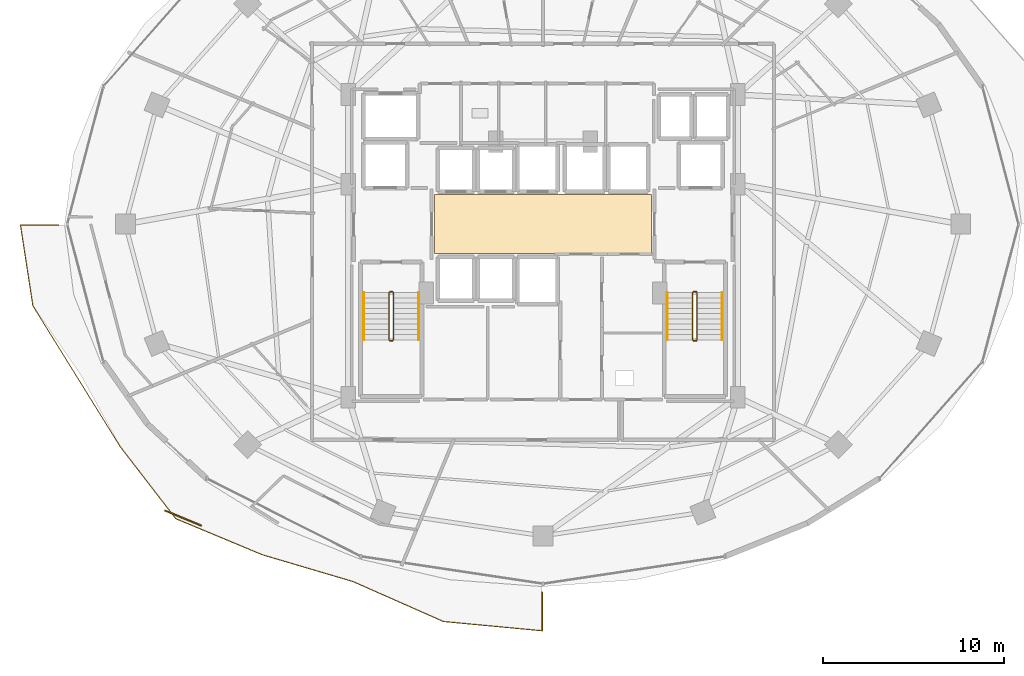
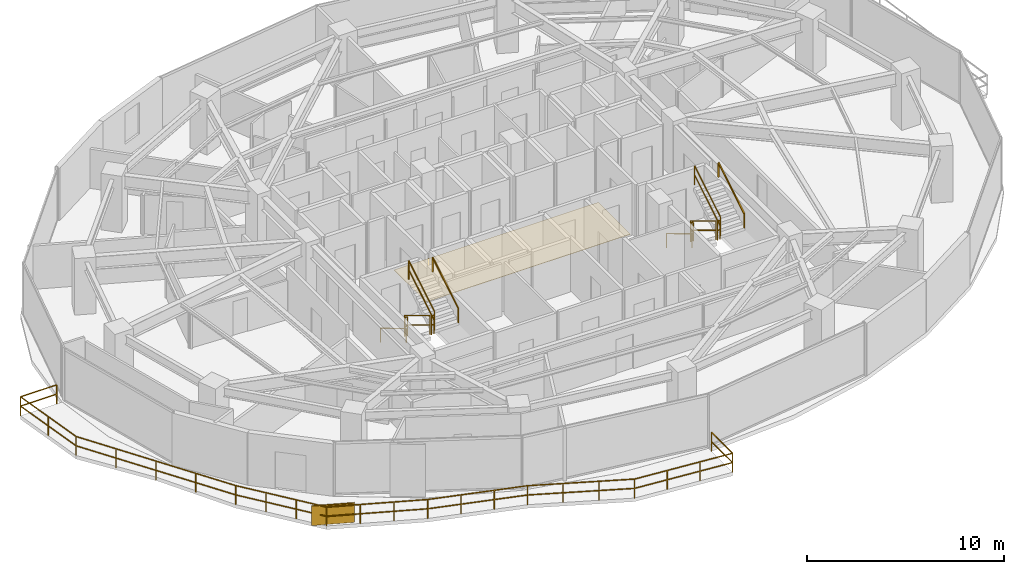
# One storey, part 29 of 31: 14 railings, 1 covering, 1 shading device.
"""IFC4 building model written with IfcOpenShell, lengths in metres."""

from ifc_helpers import new_model, si_unit, direction, frame, origin, origin_2d, place, context, subcontext, project, spatial, polyline, rectangle, outline, extrude, material, layer, layer_set, type_object, element, save


model = new_model("IFC4")

# Units and contexts
model_context = context("Model", 3, precision=1e-05, world=origin(), true_north=direction((0.0, 1.0)))
body_context = subcontext(model_context, "Body", "Model", "MODEL_VIEW")
ifc_project = project(units=[si_unit("LENGTHUNIT", "METRE"), si_unit("AREAUNIT", "SQUARE_METRE"), si_unit("VOLUMEUNIT", "CUBIC_METRE"), si_unit("PLANEANGLEUNIT", "RADIAN"), si_unit("MASSUNIT", "GRAM", prefix="KILO")], contexts=[model_context])

# Site, building, storey
site_placement = place(None, origin())
site = spatial("IfcSite", under=ifc_project, at=site_placement, CompositionType="ELEMENT")
building_placement = place(site_placement, origin())
building = spatial("IfcBuilding", under=site, at=building_placement, Name="Vorneva Point Tower", CompositionType="ELEMENT")
storey_placement = place(building_placement, frame((0.0, 0.0, 103.300048828125)))
storey = spatial("IfcBuildingStorey", under=building, at=storey_placement, Name="L27", CompositionType="ELEMENT", Elevation=103.300048828125)

# Covering
ifc_material_1 = material(Name="Acoustic wool hospitality carpet", Category="textile")
ifc_layer = layer(ifc_material_1, 0.01806640625)
ifc_layer_set = layer_set([ifc_layer], Name="Acoustic wool hospitality carpet")
covering_type = type_object("IfcCoveringType", Name="COV-FLR-CRP", PredefinedType="FLOORING", material=ifc_layer_set)
covering_placement = place(storey_placement, frame((0.0, 0.0, -0.005126953125)))
element("IfcCovering", 1, at=covering_placement, inside=storey, type_object=covering_type, Name="L27 Lift Lobby Floor Finish", PredefinedType="FLOORING", context=body_context, shape_type="SweptSolid", body=[
    extrude(outline(polyline([(32.02001953125, 24.3701171875), (43.97998046875, 24.3701171875), (43.97998046875, 27.6298828125), (32.02001953125, 27.6298828125), (32.02001953125, 24.3701171875)])), origin(), (0.0, 0.0, 1.0), 0.023193359375),
])

# Railings
ifc_material_2 = material(Name="Pale anodised aluminium", Category="aluminium")
railing_type_1 = type_object("IfcRailingType", Name="RL-BAL-1200", PredefinedType="BALUSTRADE", material=ifc_material_2)
railing_1_placement = place(storey_placement, frame((37.949951171875, 3.559814453125, 0.0)))
element("IfcRailing", 2, at=railing_1_placement, inside=storey, type_object=railing_type_1, Name="L27 Wave Balcony Balustrade SW.1", PredefinedType="BALUSTRADE", context=body_context, shape_type="SweptSolid", body=[
    extrude(rectangle(XDim=0.048095703125, YDim=0.048095703125, at=origin_2d()), frame((0.0, 0.0, 1.17578125), z_axis=(0.0, 1.0, 0.0), x_axis=(-1.0, 0.0, 0.0)), (0.0, 0.0, 1.0), 2.123046875),
    extrude(rectangle(XDim=0.048095703125, YDim=0.048095703125, at=origin_2d()), frame((0.0, 0.0, 0.60009765625), z_axis=(0.0, 1.0, 0.0), x_axis=(-1.0, 0.0, 0.0)), (0.0, 0.0, 1.0), 2.123046875),
    extrude(rectangle(XDim=0.0419921875, YDim=0.0419921875, at=origin_2d()), origin(), (0.0, 0.0, 1.0), 1.15185546875),
    extrude(rectangle(XDim=0.0419921875, YDim=0.0419921875, at=origin_2d()), frame((0.0, 2.123046875, 0.0)), (0.0, 0.0, 1.0), 1.15185546875),
])
railing_2_placement = place(storey_placement, frame((11.28369140625, 25.949951171875, 0.0)))
element("IfcRailing", 3, at=railing_2_placement, inside=storey, type_object=railing_type_1, Name="L27 Wave Balcony Balustrade SW.2", PredefinedType="BALUSTRADE", context=body_context, shape_type="SweptSolid", body=[
    extrude(rectangle(XDim=0.048095703125, YDim=0.048095703125, at=origin_2d()), frame((0.0, 0.0, 1.17578125), z_axis=(-1.0, 0.0, 0.0), x_axis=(0.0, -1.0, 0.0)), (0.0, 0.0, 1.0), 2.12109375),
    extrude(rectangle(XDim=0.048095703125, YDim=0.048095703125, at=origin_2d()), frame((0.0, 0.0, 0.60009765625), z_axis=(-1.0, 0.0, 0.0), x_axis=(0.0, -1.0, 0.0)), (0.0, 0.0, 1.0), 2.12109375),
    extrude(rectangle(XDim=0.048095703125, YDim=0.048095703125, at=origin_2d()), frame((-2.12109375, 0.0, 1.17578125), z_axis=(0.151710478014, -0.988424974826, 0.0), x_axis=(0.988424974826, 0.151710478014, 0.0)), (0.0, 0.0, 1.0), 4.497802734375),
    extrude(rectangle(XDim=0.048095703125, YDim=0.048095703125, at=origin_2d()), frame((-2.12109375, 0.0, 0.60009765625), z_axis=(0.151710478014, -0.988424974826, 0.0), x_axis=(0.988424974826, 0.151710478014, 0.0)), (0.0, 0.0, 1.0), 4.497802734375),
    extrude(rectangle(XDim=0.048095703125, YDim=0.048095703125, at=origin_2d()), frame((-1.438720703125, -4.44580078125, 1.17578125), z_axis=(0.526859110707, -0.849952632483, 0.0), x_axis=(0.849952632483, 0.526859110707, 0.0)), (0.0, 0.0, 1.0), 9.194580078125),
    extrude(rectangle(XDim=0.048095703125, YDim=0.048095703125, at=origin_2d()), frame((-1.438720703125, -4.44580078125, 0.60009765625), z_axis=(0.526859110707, -0.849952632483, 0.0), x_axis=(0.849952632483, 0.526859110707, 0.0)), (0.0, 0.0, 1.0), 9.194580078125),
    extrude(rectangle(XDim=0.048095703125, YDim=0.048095703125, at=origin_2d()), frame((3.405517578125, -12.2607421875, 1.17578125), z_axis=(0.610899143247, -0.791708429145, 0.0), x_axis=(0.791708429145, 0.610899143247, 0.0)), (0.0, 0.0, 1.0), 4.981201171875),
    extrude(rectangle(XDim=0.048095703125, YDim=0.048095703125, at=origin_2d()), frame((3.405517578125, -12.2607421875, 0.60009765625), z_axis=(0.610899143247, -0.791708429145, 0.0), x_axis=(0.791708429145, 0.610899143247, 0.0)), (0.0, 0.0, 1.0), 4.981201171875),
    extrude(rectangle(XDim=0.048095703125, YDim=0.048095703125, at=origin_2d()), frame((6.448486328125, -16.204345703125, 1.17578125), z_axis=(0.923040666996, -0.384702387659, 0.0), x_axis=(0.384702387659, 0.923040666996, 0.0)), (0.0, 0.0, 1.0), 5.180419921875),
    extrude(rectangle(XDim=0.048095703125, YDim=0.048095703125, at=origin_2d()), frame((6.448486328125, -16.204345703125, 0.60009765625), z_axis=(0.923040666996, -0.384702387659, 0.0), x_axis=(0.384702387659, 0.923040666996, 0.0)), (0.0, 0.0, 1.0), 5.180419921875),
    extrude(rectangle(XDim=0.048095703125, YDim=0.048095703125, at=origin_2d()), frame((11.230224609375, -18.197265625, 1.17578125), z_axis=(0.959085741968, -0.283115770586, 0.0), x_axis=(0.283115770586, 0.959085741968, 0.0)), (0.0, 0.0, 1.0), 5.205810546875),
    extrude(rectangle(XDim=0.048095703125, YDim=0.048095703125, at=origin_2d()), frame((11.230224609375, -18.197265625, 0.60009765625), z_axis=(0.959085741968, -0.283115770586, 0.0), x_axis=(0.283115770586, 0.959085741968, 0.0)), (0.0, 0.0, 1.0), 5.205810546875),
    extrude(rectangle(XDim=0.048095703125, YDim=0.048095703125, at=origin_2d()), frame((16.22314453125, -19.671142578125, 1.17578125), z_axis=(0.914655849892, -0.404233442776, 0.0), x_axis=(0.404233442776, 0.914655849892, 0.0)), (0.0, 0.0, 1.0), 5.46044921875),
    extrude(rectangle(XDim=0.048095703125, YDim=0.048095703125, at=origin_2d()), frame((16.22314453125, -19.671142578125, 0.60009765625), z_axis=(0.914655849892, -0.404233442776, 0.0), x_axis=(0.404233442776, 0.914655849892, 0.0)), (0.0, 0.0, 1.0), 5.46044921875),
    extrude(rectangle(XDim=0.048095703125, YDim=0.048095703125, at=origin_2d()), frame((21.217529296875, -21.87841796875, 1.17578125), z_axis=(0.995618925053, -0.093503775738, 0.0), x_axis=(0.093503775738, 0.995618925053, 0.0)), (0.0, 0.0, 1.0), 5.47265625),
    extrude(rectangle(XDim=0.048095703125, YDim=0.048095703125, at=origin_2d()), frame((21.217529296875, -21.87841796875, 0.60009765625), z_axis=(0.995618925053, -0.093503775738, 0.0), x_axis=(0.093503775738, 0.995618925053, 0.0)), (0.0, 0.0, 1.0), 5.47265625),
    extrude(rectangle(XDim=0.0419921875, YDim=0.0419921875, at=origin_2d()), origin(), (0.0, 0.0, 1.0), 1.15185546875),
    extrude(rectangle(XDim=0.0419921875, YDim=0.0419921875, at=origin_2d()), frame((-2.12109375, 0.0, 0.0)), (0.0, 0.0, 1.0), 1.15185546875),
    extrude(rectangle(XDim=0.0419921875, YDim=0.0419921875, at=origin_2d()), frame((-1.77978515625, -2.222900390625, 0.0)), (0.0, 0.0, 1.0), 1.15185546875),
    extrude(rectangle(XDim=0.0419921875, YDim=0.0419921875, at=origin_2d()), frame((-1.438720703125, -4.44580078125, 0.0)), (0.0, 0.0, 1.0), 1.15185546875),
    extrude(rectangle(XDim=0.0419921875, YDim=0.0419921875, at=origin_2d()), frame((-0.2275390625, -6.3994140625, 0.0)), (0.0, 0.0, 1.0), 1.15185546875),
    extrude(rectangle(XDim=0.0419921875, YDim=0.0419921875, at=origin_2d()), frame((0.9833984375, -8.353271484375, 0.0)), (0.0, 0.0, 1.0), 1.15185546875),
    extrude(rectangle(XDim=0.0419921875, YDim=0.0419921875, at=origin_2d()), frame((2.1943359375, -10.30712890625, 0.0)), (0.0, 0.0, 1.0), 1.15185546875),
    extrude(rectangle(XDim=0.0419921875, YDim=0.0419921875, at=origin_2d()), frame((3.405517578125, -12.2607421875, 0.0)), (0.0, 0.0, 1.0), 1.15185546875),
    extrude(rectangle(XDim=0.0419921875, YDim=0.0419921875, at=origin_2d()), frame((4.419921875, -13.5751953125, 0.0)), (0.0, 0.0, 1.0), 1.15185546875),
    extrude(rectangle(XDim=0.0419921875, YDim=0.0419921875, at=origin_2d()), frame((5.43408203125, -14.889892578125, 0.0)), (0.0, 0.0, 1.0), 1.15185546875),
    extrude(rectangle(XDim=0.0419921875, YDim=0.0419921875, at=origin_2d()), frame((6.448486328125, -16.204345703125, 0.0)), (0.0, 0.0, 1.0), 1.15185546875),
    extrude(rectangle(XDim=0.0419921875, YDim=0.0419921875, at=origin_2d()), frame((8.04248046875, -16.86865234375, 0.0)), (0.0, 0.0, 1.0), 1.15185546875),
    extrude(rectangle(XDim=0.0419921875, YDim=0.0419921875, at=origin_2d()), frame((9.63623046875, -17.532958984375, 0.0)), (0.0, 0.0, 1.0), 1.15185546875),
    extrude(rectangle(XDim=0.0419921875, YDim=0.0419921875, at=origin_2d()), frame((11.230224609375, -18.197265625, 0.0)), (0.0, 0.0, 1.0), 1.15185546875),
    extrude(rectangle(XDim=0.0419921875, YDim=0.0419921875, at=origin_2d()), frame((12.89453125, -18.6884765625, 0.0)), (0.0, 0.0, 1.0), 1.15185546875),
    extrude(rectangle(XDim=0.0419921875, YDim=0.0419921875, at=origin_2d()), frame((14.558837890625, -19.179931640625, 0.0)), (0.0, 0.0, 1.0), 1.15185546875),
    extrude(rectangle(XDim=0.0419921875, YDim=0.0419921875, at=origin_2d()), frame((16.22314453125, -19.671142578125, 0.0)), (0.0, 0.0, 1.0), 1.15185546875),
    extrude(rectangle(XDim=0.0419921875, YDim=0.0419921875, at=origin_2d()), frame((17.887939453125, -20.406982421875, 0.0)), (0.0, 0.0, 1.0), 1.15185546875),
    extrude(rectangle(XDim=0.0419921875, YDim=0.0419921875, at=origin_2d()), frame((19.552734375, -21.142578125, 0.0)), (0.0, 0.0, 1.0), 1.15185546875),
    extrude(rectangle(XDim=0.0419921875, YDim=0.0419921875, at=origin_2d()), frame((21.217529296875, -21.87841796875, 0.0)), (0.0, 0.0, 1.0), 1.15185546875),
    extrude(rectangle(XDim=0.0419921875, YDim=0.0419921875, at=origin_2d()), frame((23.03369140625, -22.049072265625, 0.0)), (0.0, 0.0, 1.0), 1.15185546875),
    extrude(rectangle(XDim=0.0419921875, YDim=0.0419921875, at=origin_2d()), frame((24.85009765625, -22.219482421875, 0.0)), (0.0, 0.0, 1.0), 1.15185546875),
    extrude(rectangle(XDim=0.0419921875, YDim=0.0419921875, at=origin_2d()), frame((26.666259765625, -22.39013671875, 0.0)), (0.0, 0.0, 1.0), 1.15185546875),
])
ifc_material_3 = material(Name="Brushed stainless steel S304", Category="steel")
railing_type_2 = type_object("IfcRailingType", Name="RL-HND-920", PredefinedType="HANDRAIL", material=ifc_material_3)
railing_3_placement = place(storey_placement, frame((28.10009765625, 22.219970703125, 0.175048828125)))
element("IfcRailing", 4, at=railing_3_placement, inside=storey, type_object=railing_type_2, Name="L27 ST1 stair handrail 1", PredefinedType="HANDRAIL", context=body_context, shape_type="SweptSolid", body=[
    extrude(rectangle(XDim=0.048095703125, YDim=0.048095703125, at=origin_2d()), frame((0.0, 0.0, 0.8759765625), z_axis=(0.0, -0.85618277418, 0.516673066065), x_axis=(1.0, 0.0, 0.0)), (0.0, 0.0, 1.0), 3.04833984375),
    extrude(rectangle(XDim=0.0419921875, YDim=0.0419921875, at=origin_2d()), origin(), (0.0, 0.0, 1.0), 0.851806640625),
    extrude(rectangle(XDim=0.0419921875, YDim=0.0419921875, at=origin_2d()), frame((0.0, -2.60986328125, 1.574951171875)), (0.0, 0.0, 1.0), 0.851806640625),
])
railing_4_placement = place(storey_placement, frame((31.14990234375, 19.610107421875, 1.925048828125)))
element("IfcRailing", 5, at=railing_4_placement, inside=storey, type_object=railing_type_2, Name="L27 ST1 stair handrail 2", PredefinedType="HANDRAIL", context=body_context, shape_type="SweptSolid", body=[
    extrude(rectangle(XDim=0.048095703125, YDim=0.048095703125, at=origin_2d()), frame((0.0, 0.0, 0.8759765625), z_axis=(0.0, 0.85618277418, 0.516673066065), x_axis=(-1.0, 0.0, 0.0)), (0.0, 0.0, 1.0), 3.04833984375),
    extrude(rectangle(XDim=0.0419921875, YDim=0.0419921875, at=origin_2d()), origin(), (0.0, 0.0, 1.0), 0.851806640625),
    extrude(rectangle(XDim=0.0419921875, YDim=0.0419921875, at=origin_2d()), frame((0.0, 2.60986328125, 1.574951171875)), (0.0, 0.0, 1.0), 0.851806640625),
])
railing_5_placement = place(storey_placement, frame((44.85009765625, 22.219970703125, 0.175048828125)))
element("IfcRailing", 6, at=railing_5_placement, inside=storey, type_object=railing_type_2, Name="L27 ST2 stair handrail 1", PredefinedType="HANDRAIL", context=body_context, shape_type="SweptSolid", body=[
    extrude(rectangle(XDim=0.048095703125, YDim=0.048095703125, at=origin_2d()), frame((0.0, 0.0, 0.8759765625), z_axis=(0.0, -0.85618277418, 0.516673066065), x_axis=(1.0, 0.0, 0.0)), (0.0, 0.0, 1.0), 3.04833984375),
    extrude(rectangle(XDim=0.0419921875, YDim=0.0419921875, at=origin_2d()), origin(), (0.0, 0.0, 1.0), 0.851806640625),
    extrude(rectangle(XDim=0.0419921875, YDim=0.0419921875, at=origin_2d()), frame((0.0, -2.60986328125, 1.574951171875)), (0.0, 0.0, 1.0), 0.851806640625),
])
railing_6_placement = place(storey_placement, frame((47.89990234375, 19.610107421875, 1.925048828125)))
element("IfcRailing", 7, at=railing_6_placement, inside=storey, type_object=railing_type_2, Name="L27 ST2 stair handrail 2", PredefinedType="HANDRAIL", context=body_context, shape_type="SweptSolid", body=[
    extrude(rectangle(XDim=0.048095703125, YDim=0.048095703125, at=origin_2d()), frame((0.0, 0.0, 0.8759765625), z_axis=(0.0, 0.85618277418, 0.516673066065), x_axis=(-1.0, 0.0, 0.0)), (0.0, 0.0, 1.0), 3.04833984375),
    extrude(rectangle(XDim=0.0419921875, YDim=0.0419921875, at=origin_2d()), origin(), (0.0, 0.0, 1.0), 0.851806640625),
    extrude(rectangle(XDim=0.0419921875, YDim=0.0419921875, at=origin_2d()), frame((0.0, 2.60986328125, 1.574951171875)), (0.0, 0.0, 1.0), 0.851806640625),
])
railing_type_3 = type_object("IfcRailingType", Name="RL-STG-1100", PredefinedType="GUARDRAIL", material=ifc_material_3)
railing_7_placement = place(storey_placement, frame((29.5, 22.219970703125, 0.175048828125)))
element("IfcRailing", 8, at=railing_7_placement, inside=storey, type_object=railing_type_3, Name="L27 ST1 stair guard 1", PredefinedType="GUARDRAIL", context=body_context, shape_type="SweptSolid", body=[
    extrude(rectangle(XDim=0.048095703125, YDim=0.048095703125, at=origin_2d()), frame((0.0, 0.0, 1.17578125), z_axis=(0.0, -0.85618277418, 0.516673066065), x_axis=(1.0, 0.0, 0.0)), (0.0, 0.0, 1.0), 3.04833984375),
    extrude(rectangle(XDim=0.048095703125, YDim=0.048095703125, at=origin_2d()), frame((0.0, 0.0, 0.60009765625), z_axis=(0.0, -0.85618277418, 0.516673066065), x_axis=(1.0, 0.0, 0.0)), (0.0, 0.0, 1.0), 3.04833984375),
    extrude(rectangle(XDim=0.0419921875, YDim=0.0419921875, at=origin_2d()), origin(), (0.0, 0.0, 1.0), 1.15185546875),
    extrude(rectangle(XDim=0.0419921875, YDim=0.0419921875, at=origin_2d()), frame((0.0, -2.60986328125, 1.574951171875)), (0.0, 0.0, 1.0), 1.15185546875),
])
railing_8_placement = place(storey_placement, frame((29.550048828125, 19.56005859375, 1.75)))
element("IfcRailing", 9, at=railing_8_placement, inside=storey, type_object=railing_type_3, Name="L27 ST1 stair guard 2", PredefinedType="GUARDRAIL", context=body_context, shape_type="SweptSolid", body=[
    extrude(rectangle(XDim=0.048095703125, YDim=0.048095703125, at=origin_2d()), frame((0.0, 0.0, 1.17578125), z_axis=(1.0, 0.0, 0.0), x_axis=(0.0, 1.0, 0.0)), (0.0, 0.0, 1.0), 0.14990234375),
    extrude(rectangle(XDim=0.048095703125, YDim=0.048095703125, at=origin_2d()), frame((0.0, 0.0, 0.60009765625), z_axis=(1.0, 0.0, 0.0), x_axis=(0.0, 1.0, 0.0)), (0.0, 0.0, 1.0), 0.14990234375),
    extrude(rectangle(XDim=0.0419921875, YDim=0.0419921875, at=origin_2d()), origin(), (0.0, 0.0, 1.0), 1.15185546875),
    extrude(rectangle(XDim=0.0419921875, YDim=0.0419921875, at=origin_2d()), frame((0.14990234375, 0.0, 0.0)), (0.0, 0.0, 1.0), 1.15185546875),
])
railing_9_placement = place(storey_placement, frame((29.75, 19.610107421875, 1.925048828125)))
element("IfcRailing", 10, at=railing_9_placement, inside=storey, type_object=railing_type_3, Name="L27 ST1 stair guard 3", PredefinedType="GUARDRAIL", context=body_context, shape_type="SweptSolid", body=[
    extrude(rectangle(XDim=0.048095703125, YDim=0.048095703125, at=origin_2d()), frame((0.0, 0.0, 1.17578125), z_axis=(0.0, 0.85618277418, 0.516673066065), x_axis=(-1.0, 0.0, 0.0)), (0.0, 0.0, 1.0), 3.04833984375),
    extrude(rectangle(XDim=0.048095703125, YDim=0.048095703125, at=origin_2d()), frame((0.0, 0.0, 0.60009765625), z_axis=(0.0, 0.85618277418, 0.516673066065), x_axis=(-1.0, 0.0, 0.0)), (0.0, 0.0, 1.0), 3.04833984375),
    extrude(rectangle(XDim=0.0419921875, YDim=0.0419921875, at=origin_2d()), origin(), (0.0, 0.0, 1.0), 1.15185546875),
    extrude(rectangle(XDim=0.0419921875, YDim=0.0419921875, at=origin_2d()), frame((0.0, 2.60986328125, 1.574951171875)), (0.0, 0.0, 1.0), 1.15185546875),
])
railing_10_placement = place(storey_placement, frame((29.550048828125, 22.27001953125, 0.0)))
element("IfcRailing", 11, at=railing_10_placement, inside=storey, type_object=railing_type_3, Name="L27 ST1 stair guard 4", PredefinedType="GUARDRAIL", context=body_context, shape_type="SweptSolid", body=[
    extrude(rectangle(XDim=0.048095703125, YDim=0.048095703125, at=origin_2d()), frame((0.0, 0.0, 1.17578125), z_axis=(1.0, 0.0, 0.0), x_axis=(0.0, 1.0, 0.0)), (0.0, 0.0, 1.0), 0.14990234375),
    extrude(rectangle(XDim=0.048095703125, YDim=0.048095703125, at=origin_2d()), frame((0.0, 0.0, 0.60009765625), z_axis=(1.0, 0.0, 0.0), x_axis=(0.0, 1.0, 0.0)), (0.0, 0.0, 1.0), 0.14990234375),
    extrude(rectangle(XDim=0.0419921875, YDim=0.0419921875, at=origin_2d()), origin(), (0.0, 0.0, 1.0), 1.15185546875),
    extrude(rectangle(XDim=0.0419921875, YDim=0.0419921875, at=origin_2d()), frame((0.14990234375, 0.0, 0.0)), (0.0, 0.0, 1.0), 1.15185546875),
])
railing_11_placement = place(storey_placement, frame((46.25, 22.219970703125, 0.175048828125)))
element("IfcRailing", 12, at=railing_11_placement, inside=storey, type_object=railing_type_3, Name="L27 ST2 stair guard 1", PredefinedType="GUARDRAIL", context=body_context, shape_type="SweptSolid", body=[
    extrude(rectangle(XDim=0.048095703125, YDim=0.048095703125, at=origin_2d()), frame((0.0, 0.0, 1.17578125), z_axis=(0.0, -0.85618277418, 0.516673066065), x_axis=(1.0, 0.0, 0.0)), (0.0, 0.0, 1.0), 3.04833984375),
    extrude(rectangle(XDim=0.048095703125, YDim=0.048095703125, at=origin_2d()), frame((0.0, 0.0, 0.60009765625), z_axis=(0.0, -0.85618277418, 0.516673066065), x_axis=(1.0, 0.0, 0.0)), (0.0, 0.0, 1.0), 3.04833984375),
    extrude(rectangle(XDim=0.0419921875, YDim=0.0419921875, at=origin_2d()), origin(), (0.0, 0.0, 1.0), 1.15185546875),
    extrude(rectangle(XDim=0.0419921875, YDim=0.0419921875, at=origin_2d()), frame((0.0, -2.60986328125, 1.574951171875)), (0.0, 0.0, 1.0), 1.15185546875),
])
railing_12_placement = place(storey_placement, frame((46.300048828125, 19.56005859375, 1.75)))
element("IfcRailing", 13, at=railing_12_placement, inside=storey, type_object=railing_type_3, Name="L27 ST2 stair guard 2", PredefinedType="GUARDRAIL", context=body_context, shape_type="SweptSolid", body=[
    extrude(rectangle(XDim=0.048095703125, YDim=0.048095703125, at=origin_2d()), frame((0.0, 0.0, 1.17578125), z_axis=(1.0, 0.0, 0.0), x_axis=(0.0, 1.0, 0.0)), (0.0, 0.0, 1.0), 0.14990234375),
    extrude(rectangle(XDim=0.048095703125, YDim=0.048095703125, at=origin_2d()), frame((0.0, 0.0, 0.60009765625), z_axis=(1.0, 0.0, 0.0), x_axis=(0.0, 1.0, 0.0)), (0.0, 0.0, 1.0), 0.14990234375),
    extrude(rectangle(XDim=0.0419921875, YDim=0.0419921875, at=origin_2d()), origin(), (0.0, 0.0, 1.0), 1.15185546875),
    extrude(rectangle(XDim=0.0419921875, YDim=0.0419921875, at=origin_2d()), frame((0.14990234375, 0.0, 0.0)), (0.0, 0.0, 1.0), 1.15185546875),
])
railing_13_placement = place(storey_placement, frame((46.5, 19.610107421875, 1.925048828125)))
element("IfcRailing", 14, at=railing_13_placement, inside=storey, type_object=railing_type_3, Name="L27 ST2 stair guard 3", PredefinedType="GUARDRAIL", context=body_context, shape_type="SweptSolid", body=[
    extrude(rectangle(XDim=0.048095703125, YDim=0.048095703125, at=origin_2d()), frame((0.0, 0.0, 1.17578125), z_axis=(0.0, 0.85618277418, 0.516673066065), x_axis=(-1.0, 0.0, 0.0)), (0.0, 0.0, 1.0), 3.04833984375),
    extrude(rectangle(XDim=0.048095703125, YDim=0.048095703125, at=origin_2d()), frame((0.0, 0.0, 0.60009765625), z_axis=(0.0, 0.85618277418, 0.516673066065), x_axis=(-1.0, 0.0, 0.0)), (0.0, 0.0, 1.0), 3.04833984375),
    extrude(rectangle(XDim=0.0419921875, YDim=0.0419921875, at=origin_2d()), origin(), (0.0, 0.0, 1.0), 1.15185546875),
    extrude(rectangle(XDim=0.0419921875, YDim=0.0419921875, at=origin_2d()), frame((0.0, 2.60986328125, 1.574951171875)), (0.0, 0.0, 1.0), 1.15185546875),
])
railing_14_placement = place(storey_placement, frame((46.300048828125, 22.27001953125, 0.0)))
element("IfcRailing", 15, at=railing_14_placement, inside=storey, type_object=railing_type_3, Name="L27 ST2 stair guard 4", PredefinedType="GUARDRAIL", context=body_context, shape_type="SweptSolid", body=[
    extrude(rectangle(XDim=0.048095703125, YDim=0.048095703125, at=origin_2d()), frame((0.0, 0.0, 1.17578125), z_axis=(1.0, 0.0, 0.0), x_axis=(0.0, 1.0, 0.0)), (0.0, 0.0, 1.0), 0.14990234375),
    extrude(rectangle(XDim=0.048095703125, YDim=0.048095703125, at=origin_2d()), frame((0.0, 0.0, 0.60009765625), z_axis=(1.0, 0.0, 0.0), x_axis=(0.0, 1.0, 0.0)), (0.0, 0.0, 1.0), 0.14990234375),
    extrude(rectangle(XDim=0.0419921875, YDim=0.0419921875, at=origin_2d()), origin(), (0.0, 0.0, 1.0), 1.15185546875),
    extrude(rectangle(XDim=0.0419921875, YDim=0.0419921875, at=origin_2d()), frame((0.14990234375, 0.0, 0.0)), (0.0, 0.0, 1.0), 1.15185546875),
])

# Shading device
shading_device_type = type_object("IfcShadingDeviceType", Name="SHD-JAL-1200", PredefinedType="JALOUSIE", material=ifc_material_2)
shading_device_placement = place(storey_placement, frame((18.139404296875, 9.7861328125, -0.02001953125), z_axis=(0.0, 0.0, 1.0), x_axis=(0.923042448768, -0.384698112514, 0.0)))
element("IfcShadingDevice", 16, at=shading_device_placement, inside=storey, type_object=shading_device_type, Name="L27 Balcony Vertical-Greenery Planter Screen SW.2", PredefinedType="JALOUSIE", context=body_context, shape_type="SweptSolid", body=[
    extrude(rectangle(XDim=2.199951171875, YDim=0.080078125, at=origin_2d()), origin(), (0.0, 0.0, 1.0), 1.199951171875),
])

save(model, "model.ifc")
